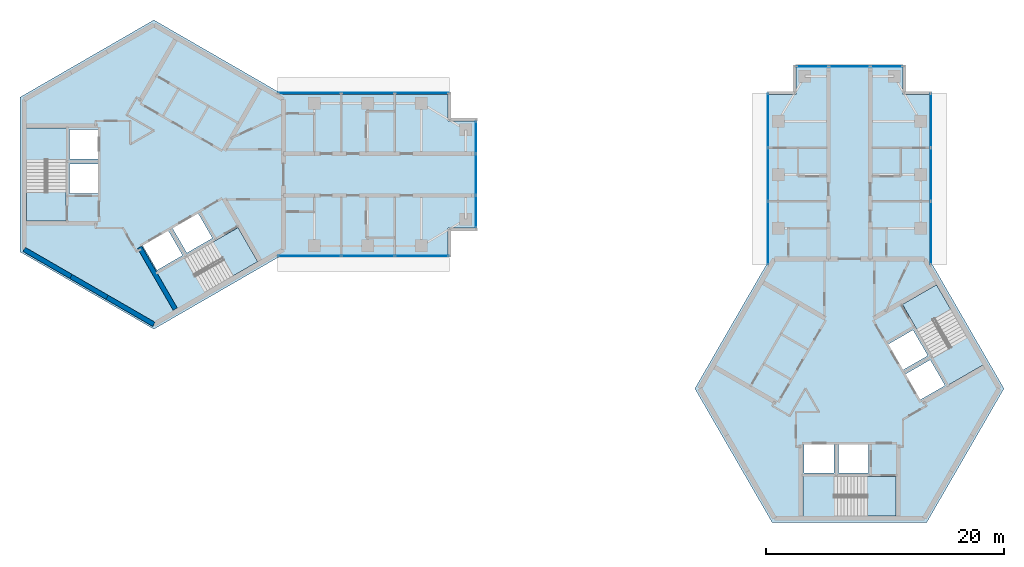
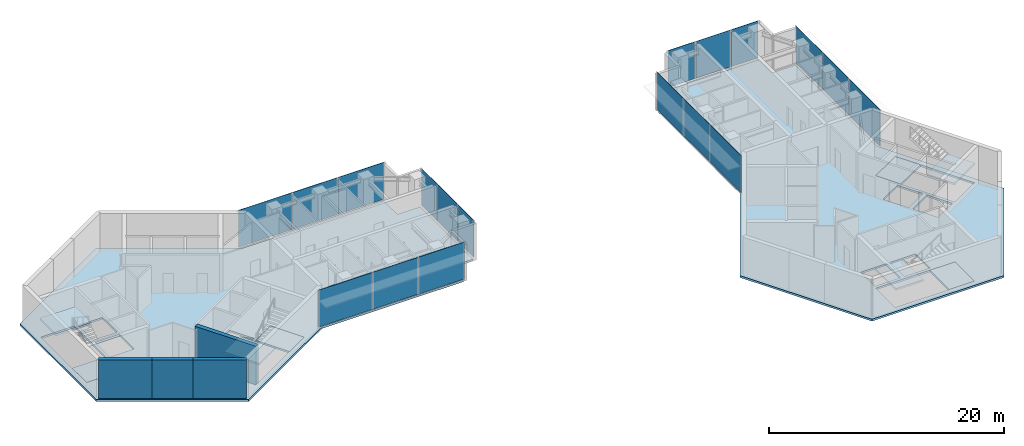
# One storey, part 4 of 11: 18 plates, 10 slabs, 4 walls, 10 elements without a shape of their own.
"""IFC4 building model written with IfcOpenShell, lengths in metres."""

from ifc_helpers import new_model, si_unit, direction, frame, frame_2d, origin, origin_2d, place, context, subcontext, project, spatial, polyline, rectangle, outline, extrude, material, layer, layer_set, type_object, element, aggregate, save


model = new_model("IFC4")

# Units and contexts
model_context = context("Model", 3, precision=1e-05, world=origin(), true_north=direction((0.0, 1.0)))
body_context = subcontext(model_context, "Body", "Model", "MODEL_VIEW")
ifc_project = project(units=[si_unit("LENGTHUNIT", "METRE"), si_unit("AREAUNIT", "SQUARE_METRE"), si_unit("VOLUMEUNIT", "CUBIC_METRE"), si_unit("PLANEANGLEUNIT", "RADIAN"), si_unit("MASSUNIT", "GRAM", prefix="KILO")], contexts=[model_context])

# Site, building, storey
site_placement = place(None, origin())
site = spatial("IfcSite", under=ifc_project, at=site_placement, CompositionType="ELEMENT")
building_placement = place(site_placement, origin())
building = spatial("IfcBuilding", under=site, at=building_placement, Name="Upepo Twin Towers", CompositionType="ELEMENT")
storey_placement = place(building_placement, frame((0.0, 0.0, 259.5)))
storey = spatial("IfcBuildingStorey", under=building, at=storey_placement, Name="L63", CompositionType="ELEMENT", Elevation=259.5)

# Curtain wall, plates
ifc_material_1 = material(Name="Aluminium and fritted glass", Category="aluminium")
curtain_wall_type = type_object("IfcCurtainWallType", Name="Tower curtain wall TW4, fritted glass", PredefinedType="NOTDEFINED", material=ifc_material_1)
curtain_wall_1_placement = place(storey_placement, origin())
curtain_wall_1 = element("IfcCurtainWall", 1, at=curtain_wall_1_placement, inside=storey, type_object=curtain_wall_type, Name="T1 L63 wing A flank L curtain wall", PredefinedType="NOTDEFINED")
ifc_material_2 = material(Name="Ceramic-fritted laminated glass", Category="glass")
ifc_layer_1 = layer(ifc_material_2, 0.031982421875)
ifc_layer_set_1 = layer_set([ifc_layer_1], Name="Fritted glass panel, 65 per cent dot frit, 32 mm double glazed")
plate_type_1 = type_object("IfcPlateType", Name="Fritted glass panel, 65 per cent dot frit, 32 mm double glazed", PredefinedType="CURTAIN_PANEL", material=ifc_layer_set_1)
plate_1_placement = place(storey_placement, frame((13.084716796875, 6.85009765625, 0.14990234375), z_axis=(0.0, 0.0, 1.0), x_axis=(1.0, 0.0, 0.0)))
plate_1 = element("IfcPlate", 2, at=plate_1_placement, type_object=plate_type_1, Name="T1 L63 wing A flank L curtain wall panel 1", PredefinedType="CURTAIN_PANEL", context=body_context, shape_type="SweptSolid", body=[
    extrude(rectangle(XDim=5.265380859375, YDim=0.031982421875, at=origin_2d()), origin(), (0.0, 0.0, 1.0), 3.85009765625),
])
plate_2_placement = place(storey_placement, frame((18.0, 6.85009765625, 0.14990234375), z_axis=(0.0, 0.0, 1.0), x_axis=(1.0, 0.0, 0.0)))
plate_2 = element("IfcPlate", 3, at=plate_2_placement, type_object=plate_type_1, Name="T1 L63 wing A flank L curtain wall panel 2", PredefinedType="CURTAIN_PANEL", context=body_context, shape_type="SweptSolid", body=[
    extrude(rectangle(XDim=4.43505859375, YDim=0.031982421875, at=origin_2d()), origin(), (0.0, 0.0, 1.0), 3.85009765625),
])
plate_3_placement = place(storey_placement, frame((22.53369140625, 6.85009765625, 0.14990234375), z_axis=(0.0, 0.0, 1.0), x_axis=(1.0, 0.0, 0.0)))
plate_3 = element("IfcPlate", 4, at=plate_3_placement, type_object=plate_type_1, Name="T1 L63 wing A flank L curtain wall panel 3", PredefinedType="CURTAIN_PANEL", context=body_context, shape_type="SweptSolid", body=[
    extrude(rectangle(XDim=4.50244140625, YDim=0.031982421875, at=origin_2d()), origin(), (0.0, 0.0, 1.0), 3.85009765625),
])
aggregate(curtain_wall_1, [plate_1, plate_2, plate_3])

curtain_wall_2_placement = place(storey_placement, origin())
curtain_wall_2 = element("IfcCurtainWall", 5, at=curtain_wall_2_placement, inside=storey, type_object=curtain_wall_type, Name="T1 L63 wing A flank R curtain wall", PredefinedType="NOTDEFINED")
plate_4_placement = place(storey_placement, frame((22.53369140625, -6.85009765625, 0.14990234375), z_axis=(0.0, 0.0, 1.0), x_axis=(-1.0, 0.0, 0.0)))
plate_4 = element("IfcPlate", 6, at=plate_4_placement, type_object=plate_type_1, Name="T1 L63 wing A flank R curtain wall panel 1", PredefinedType="CURTAIN_PANEL", context=body_context, shape_type="SweptSolid", body=[
    extrude(rectangle(XDim=4.50244140625, YDim=0.031982421875, at=origin_2d()), origin(), (0.0, 0.0, 1.0), 3.85009765625),
])
plate_5_placement = place(storey_placement, frame((18.0, -6.85009765625, 0.14990234375), z_axis=(0.0, 0.0, 1.0), x_axis=(-1.0, 0.0, 0.0)))
plate_5 = element("IfcPlate", 7, at=plate_5_placement, type_object=plate_type_1, Name="T1 L63 wing A flank R curtain wall panel 2", PredefinedType="CURTAIN_PANEL", context=body_context, shape_type="SweptSolid", body=[
    extrude(rectangle(XDim=4.43505859375, YDim=0.031982421875, at=origin_2d()), origin(), (0.0, 0.0, 1.0), 3.85009765625),
])
plate_6_placement = place(storey_placement, frame((13.084716796875, -6.85009765625, 0.14990234375), z_axis=(0.0, 0.0, 1.0), x_axis=(-1.0, 0.0, 0.0)))
plate_6 = element("IfcPlate", 8, at=plate_6_placement, type_object=plate_type_1, Name="T1 L63 wing A flank R curtain wall panel 3", PredefinedType="CURTAIN_PANEL", context=body_context, shape_type="SweptSolid", body=[
    extrude(rectangle(XDim=5.265380859375, YDim=0.031982421875, at=origin_2d()), origin(), (0.0, 0.0, 1.0), 3.85009765625),
])
aggregate(curtain_wall_2, [plate_4, plate_5, plate_6])

# Curtain wall, plate
curtain_wall_3_placement = place(storey_placement, origin())
curtain_wall_3 = element("IfcCurtainWall", 9, at=curtain_wall_3_placement, inside=storey, type_object=curtain_wall_type, Name="T1 L63 wing A nose curtain wall", PredefinedType="NOTDEFINED")
plate_7_placement = place(storey_placement, frame((27.10009765625, 0.0, 0.14990234375), z_axis=(0.0, 0.0, 1.0), x_axis=(0.0, 1.0, 0.0)))
plate_7 = element("IfcPlate", 10, at=plate_7_placement, type_object=plate_type_1, Name="T1 L63 wing A nose curtain wall panel 2", PredefinedType="CURTAIN_PANEL", context=body_context, shape_type="SweptSolid", body=[
    extrude(rectangle(XDim=3.43505859375, YDim=0.031982421875, at=origin_2d()), origin(), (0.0, 0.0, 1.0), 3.85009765625),
])

# Curtain wall, plates
curtain_wall_4_placement = place(storey_placement, origin())
curtain_wall_4 = element("IfcCurtainWall", 11, at=curtain_wall_4_placement, inside=storey, type_object=curtain_wall_type, Name="T2 L63 wing A flank L curtain wall", PredefinedType="NOTDEFINED")
plate_8_placement = place(storey_placement, frame((51.64990234375, -4.915283203125, 0.14990234375), z_axis=(0.0, 0.0, 1.0), x_axis=(0.0, 1.0, 0.0)))
plate_8 = element("IfcPlate", 12, at=plate_8_placement, type_object=plate_type_1, Name="T2 L63 wing A flank L curtain wall panel 1", PredefinedType="CURTAIN_PANEL", context=body_context, shape_type="SweptSolid", body=[
    extrude(rectangle(XDim=5.265380859375, YDim=0.031982421875, at=origin_2d()), origin(), (0.0, 0.0, 1.0), 3.85009765625),
])
plate_9_placement = place(storey_placement, frame((51.64990234375, 0.0, 0.14990234375), z_axis=(0.0, 0.0, 1.0), x_axis=(0.0, 1.0, 0.0)))
plate_9 = element("IfcPlate", 13, at=plate_9_placement, type_object=plate_type_1, Name="T2 L63 wing A flank L curtain wall panel 2", PredefinedType="CURTAIN_PANEL", context=body_context, shape_type="SweptSolid", body=[
    extrude(rectangle(XDim=4.43505859375, YDim=0.031982421875, at=origin_2d()), origin(), (0.0, 0.0, 1.0), 3.85009765625),
])
plate_10_placement = place(storey_placement, frame((51.64990234375, 4.53369140625, 0.14990234375), z_axis=(0.0, 0.0, 1.0), x_axis=(0.0, 1.0, 0.0)))
plate_10 = element("IfcPlate", 14, at=plate_10_placement, type_object=plate_type_1, Name="T2 L63 wing A flank L curtain wall panel 3", PredefinedType="CURTAIN_PANEL", context=body_context, shape_type="SweptSolid", body=[
    extrude(rectangle(XDim=4.50244140625, YDim=0.031982421875, at=origin_2d()), origin(), (0.0, 0.0, 1.0), 3.85009765625),
])
aggregate(curtain_wall_4, [plate_8, plate_9, plate_10])

curtain_wall_5_placement = place(storey_placement, origin())
curtain_wall_5 = element("IfcCurtainWall", 15, at=curtain_wall_5_placement, inside=storey, type_object=curtain_wall_type, Name="T2 L63 wing A flank R curtain wall", PredefinedType="NOTDEFINED")
plate_11_placement = place(storey_placement, frame((65.35009765625, 4.53369140625, 0.14990234375), z_axis=(0.0, 0.0, 1.0), x_axis=(0.0, -1.0, 0.0)))
plate_11 = element("IfcPlate", 16, at=plate_11_placement, type_object=plate_type_1, Name="T2 L63 wing A flank R curtain wall panel 1", PredefinedType="CURTAIN_PANEL", context=body_context, shape_type="SweptSolid", body=[
    extrude(rectangle(XDim=4.50244140625, YDim=0.031982421875, at=origin_2d()), origin(), (0.0, 0.0, 1.0), 3.85009765625),
])
plate_12_placement = place(storey_placement, frame((65.35009765625, 0.0, 0.14990234375), z_axis=(0.0, 0.0, 1.0), x_axis=(0.0, -1.0, 0.0)))
plate_12 = element("IfcPlate", 17, at=plate_12_placement, type_object=plate_type_1, Name="T2 L63 wing A flank R curtain wall panel 2", PredefinedType="CURTAIN_PANEL", context=body_context, shape_type="SweptSolid", body=[
    extrude(rectangle(XDim=4.43505859375, YDim=0.031982421875, at=origin_2d()), origin(), (0.0, 0.0, 1.0), 3.85009765625),
])
plate_13_placement = place(storey_placement, frame((65.35009765625, -4.915283203125, 0.14990234375), z_axis=(0.0, 0.0, 1.0), x_axis=(0.0, -1.0, 0.0)))
plate_13 = element("IfcPlate", 18, at=plate_13_placement, type_object=plate_type_1, Name="T2 L63 wing A flank R curtain wall panel 3", PredefinedType="CURTAIN_PANEL", context=body_context, shape_type="SweptSolid", body=[
    extrude(rectangle(XDim=5.265380859375, YDim=0.031982421875, at=origin_2d()), origin(), (0.0, 0.0, 1.0), 3.85009765625),
])
aggregate(curtain_wall_5, [plate_11, plate_12, plate_13])

# Curtain wall, plate
curtain_wall_6_placement = place(storey_placement, origin())
curtain_wall_6 = element("IfcCurtainWall", 19, at=curtain_wall_6_placement, inside=storey, type_object=curtain_wall_type, Name="T2 L63 wing A nose curtain wall", PredefinedType="NOTDEFINED")
plate_14_placement = place(storey_placement, frame((58.5, 9.10009765625, 0.14990234375), z_axis=(0.0, 0.0, 1.0), x_axis=(-1.0, 0.0, 0.0)))
plate_14 = element("IfcPlate", 20, at=plate_14_placement, type_object=plate_type_1, Name="T2 L63 wing A nose curtain wall panel 2", PredefinedType="CURTAIN_PANEL", context=body_context, shape_type="SweptSolid", body=[
    extrude(rectangle(XDim=3.43505859375, YDim=0.031982421875, at=origin_2d()), origin(), (0.0, 0.0, 1.0), 3.85009765625),
])

# Plate
ifc_material_3 = material(Name="Clear laminated glass in opening sash", Category="glass")
ifc_layer_2 = layer(ifc_material_3, 0.031982421875)
ifc_layer_set_2 = layer_set([ifc_layer_2], Name="Operable glass panel, 32 mm double glazed")
plate_type_2 = type_object("IfcPlateType", Name="Operable glass panel, 32 mm double glazed", PredefinedType="CURTAIN_PANEL", material=ifc_layer_set_2)
plate_15_placement = place(storey_placement, frame((27.10009765625, -3.108642578125, 0.14990234375), z_axis=(0.0, 0.0, 1.0), x_axis=(0.0, 1.0, 0.0)))
plate_15 = element("IfcPlate", 21, at=plate_15_placement, type_object=plate_type_2, Name="T1 L63 wing A nose curtain wall panel 1", PredefinedType="CURTAIN_PANEL", context=body_context, shape_type="SweptSolid", body=[
    extrude(rectangle(XDim=2.652587890625, YDim=0.031982421875, at=origin_2d()), origin(), (0.0, 0.0, 1.0), 3.85009765625),
])

plate_16_placement = place(storey_placement, frame((27.10009765625, 3.108642578125, 0.14990234375), z_axis=(0.0, 0.0, 1.0), x_axis=(0.0, 1.0, 0.0)))
plate_16 = element("IfcPlate", 22, at=plate_16_placement, type_object=plate_type_2, Name="T1 L63 wing A nose curtain wall panel 3", PredefinedType="CURTAIN_PANEL", context=body_context, shape_type="SweptSolid", body=[
    extrude(rectangle(XDim=2.652587890625, YDim=0.031982421875, at=origin_2d()), origin(), (0.0, 0.0, 1.0), 3.85009765625),
])

aggregate(curtain_wall_3, [plate_15, plate_7, plate_16])

plate_17_placement = place(storey_placement, frame((61.608642578125, 9.10009765625, 0.14990234375), z_axis=(0.0, 0.0, 1.0), x_axis=(-1.0, 0.0, 0.0)))
plate_17 = element("IfcPlate", 23, at=plate_17_placement, type_object=plate_type_2, Name="T2 L63 wing A nose curtain wall panel 1", PredefinedType="CURTAIN_PANEL", context=body_context, shape_type="SweptSolid", body=[
    extrude(rectangle(XDim=2.652587890625, YDim=0.031982421875, at=origin_2d()), origin(), (0.0, 0.0, 1.0), 3.85009765625),
])

plate_18_placement = place(storey_placement, frame((55.391357421875, 9.10009765625, 0.14990234375), z_axis=(0.0, 0.0, 1.0), x_axis=(-1.0, 0.0, 0.0)))
plate_18 = element("IfcPlate", 24, at=plate_18_placement, type_object=plate_type_2, Name="T2 L63 wing A nose curtain wall panel 3", PredefinedType="CURTAIN_PANEL", context=body_context, shape_type="SweptSolid", body=[
    extrude(rectangle(XDim=2.652587890625, YDim=0.031982421875, at=origin_2d()), origin(), (0.0, 0.0, 1.0), 3.85009765625),
])

aggregate(curtain_wall_6, [plate_17, plate_14, plate_18])

# Stair, slabs
ifc_material_4 = material(Name="Concrete C40/50", Category="concrete")
stair_type = type_object("IfcStairType", Name="Core stair, two flights", PredefinedType="HALF_TURN_STAIR", material=ifc_material_4)
stair_1_placement = place(storey_placement, origin())
stair_1 = element("IfcStair", 25, at=stair_1_placement, inside=storey, type_object=stair_type, Name="T1 stair S1 L63", PredefinedType="HALF_TURN_STAIR")
ifc_material_5 = material(Name="Concrete C40/50", Category="concrete")
ifc_layer_3 = layer(ifc_material_5, 0.199951171875)
ifc_layer_set_3 = layer_set([ifc_layer_3], Name="Concrete C40/50")
slab_type_1 = type_object("IfcSlabType", Name="Stair landing 200 RC", PredefinedType="LANDING", material=ifc_layer_set_3)
slab_1_placement = place(storey_placement, frame((0.0, 0.0, -0.199951171875)))
slab_1 = element("IfcSlab", 26, at=slab_1_placement, type_object=slab_type_1, Name="Stair S1 landing 1", PredefinedType="LANDING", context=body_context, shape_type="SweptSolid", body=[
    extrude(outline(polyline([(-7.39990234375, -1.419921875), (-10.708251953125, -1.419921875), (-10.708251953125, -3.89990234375), (-7.39990234375, -3.89990234375), (-7.39990234375, -1.419921875)])), origin(), (0.0, 0.0, 1.0), 0.199951171875),
])
slab_2_placement = place(storey_placement, frame((0.0, 0.0, 1.800048828125)))
slab_2 = element("IfcSlab", 27, at=slab_2_placement, type_object=slab_type_1, Name="Stair S1 landing 2", PredefinedType="LANDING", context=body_context, shape_type="SweptSolid", body=[
    extrude(outline(polyline([(-7.300048828125, 3.89990234375), (-10.808349609375, 3.89990234375), (-10.808349609375, 1.179931640625), (-7.300048828125, 1.179931640625), (-7.300048828125, 3.89990234375)])), origin(), (0.0, 0.0, 1.0), 0.199951171875),
])
aggregate(stair_1, [slab_1, slab_2])

stair_2_placement = place(storey_placement, origin())
stair_2 = element("IfcStair", 28, at=stair_2_placement, inside=storey, type_object=stair_type, Name="T1 stair S2 L63", PredefinedType="HALF_TURN_STAIR")
slab_3_placement = place(storey_placement, frame((0.0, 0.0, -0.199951171875)))
slab_3 = element("IfcSlab", 29, at=slab_3_placement, type_object=slab_type_1, Name="Stair S2 landing 1", PredefinedType="LANDING", context=body_context, shape_type="SweptSolid", body=[
    extrude(outline(polyline([(4.9296875, -5.698486328125), (6.583984375, -8.563720703125), (8.731689453125, -7.32373046875), (7.077392578125, -4.45849609375), (4.9296875, -5.698486328125)])), origin(), (0.0, 0.0, 1.0), 0.199951171875),
])
slab_4_placement = place(storey_placement, frame((0.0, 0.0, 1.800048828125)))
slab_4 = element("IfcSlab", 30, at=slab_4_placement, type_object=slab_type_1, Name="Stair S2 landing 2", PredefinedType="LANDING", context=body_context, shape_type="SweptSolid", body=[
    extrude(outline(polyline([(0.2724609375, -8.27197265625), (2.026611328125, -11.310302734375), (4.38232421875, -9.9501953125), (2.628173828125, -6.911865234375), (0.2724609375, -8.27197265625)])), origin(), (0.0, 0.0, 1.0), 0.199951171875),
])
aggregate(stair_2, [slab_3, slab_4])

stair_3_placement = place(storey_placement, origin())
stair_3 = element("IfcStair", 31, at=stair_3_placement, inside=storey, type_object=stair_type, Name="T2 stair S1 L63", PredefinedType="HALF_TURN_STAIR")
slab_5_placement = place(storey_placement, frame((0.0, 0.0, -0.199951171875)))
slab_5 = element("IfcSlab", 32, at=slab_5_placement, type_object=slab_type_1, Name="Stair S1 landing 1", PredefinedType="LANDING", context=body_context, shape_type="SweptSolid", body=[
    extrude(outline(polyline([(59.919921875, -25.39990234375), (59.919921875, -28.708251953125), (62.39990234375, -28.708251953125), (62.39990234375, -25.39990234375), (59.919921875, -25.39990234375)])), origin(), (0.0, 0.0, 1.0), 0.199951171875),
])
slab_6_placement = place(storey_placement, frame((0.0, 0.0, 1.800048828125)))
slab_6 = element("IfcSlab", 33, at=slab_6_placement, type_object=slab_type_1, Name="Stair S1 landing 2", PredefinedType="LANDING", context=body_context, shape_type="SweptSolid", body=[
    extrude(outline(polyline([(54.60009765625, -25.300048828125), (54.60009765625, -28.808349609375), (57.320068359375, -28.808349609375), (57.320068359375, -25.300048828125), (54.60009765625, -25.300048828125)])), origin(), (0.0, 0.0, 1.0), 0.199951171875),
])
aggregate(stair_3, [slab_5, slab_6])

stair_4_placement = place(storey_placement, origin())
stair_4 = element("IfcStair", 34, at=stair_4_placement, inside=storey, type_object=stair_type, Name="T2 stair S2 L63", PredefinedType="HALF_TURN_STAIR")
slab_7_placement = place(storey_placement, frame((0.0, 0.0, -0.199951171875)))
slab_7 = element("IfcSlab", 35, at=slab_7_placement, type_object=slab_type_1, Name="Stair S2 landing 1", PredefinedType="LANDING", context=body_context, shape_type="SweptSolid", body=[
    extrude(outline(polyline([(64.198486328125, -13.0703125), (67.063720703125, -11.416015625), (65.82373046875, -9.268310546875), (62.95849609375, -10.922607421875), (64.198486328125, -13.0703125)])), origin(), (0.0, 0.0, 1.0), 0.199951171875),
])
slab_8_placement = place(storey_placement, frame((0.0, 0.0, 1.800048828125)))
slab_8 = element("IfcSlab", 36, at=slab_8_placement, type_object=slab_type_1, Name="Stair S2 landing 2", PredefinedType="LANDING", context=body_context, shape_type="SweptSolid", body=[
    extrude(outline(polyline([(66.77197265625, -17.7275390625), (69.810302734375, -15.973388671875), (68.4501953125, -13.61767578125), (65.411865234375, -15.371826171875), (66.77197265625, -17.7275390625)])), origin(), (0.0, 0.0, 1.0), 0.199951171875),
])
aggregate(stair_4, [slab_7, slab_8])

# Slabs
ifc_material_6 = material(Name="Concrete C40/50", Category="concrete")
ifc_layer_4 = layer(ifc_material_6, 0.199951171875)
ifc_layer_set_4 = layer_set([ifc_layer_4], Name="Concrete C40/50")
slab_type_2 = type_object("IfcSlabType", Name="Tower floor slab 200 RC", PredefinedType="FLOOR", material=ifc_layer_set_4)
slab_9_placement = place(storey_placement, frame((0.0, 0.0, -0.199951171875)))
element("IfcSlab", 37, at=slab_9_placement, inside=storey, type_object=slab_type_2, Name="T1 L63 floor slab", PredefinedType="FLOOR", context=body_context, shape_type="SweptSolid", body=[
    extrude(outline(polyline([(0.0, -13.0), (-11.25830078125, -6.5), (-11.25830078125, 6.5), (0.0, 13.0), (10.825439453125, 6.75), (24.75, 6.75), (24.75, 4.5), (27.0, 4.5), (27.0, -4.5), (24.75, -4.5), (24.75, -6.75), (10.825439453125, -6.75), (0.0, -13.0)]), holes=[polyline([(-4.699951171875, 3.800048828125), (-7.10009765625, 3.800048828125), (-7.10009765625, 1.300048828125), (-4.699951171875, 1.300048828125), (-4.699951171875, 3.800048828125)]), polyline([(-4.699951171875, 0.89990234375), (-7.10009765625, 0.89990234375), (-7.10009765625, -1.60009765625), (-4.699951171875, -1.60009765625), (-4.699951171875, 0.89990234375)]), polyline([(-7.39990234375, 3.89990234375), (-10.708251953125, 3.89990234375), (-10.708251953125, -3.89990234375), (-7.39990234375, -3.89990234375), (-7.39990234375, 3.89990234375)]), polyline([(-0.94091796875, -5.97021484375), (0.259033203125, -8.048828125), (2.424072265625, -6.798828125), (1.22412109375, -4.72021484375), (-0.94091796875, -5.97021484375)]), polyline([(1.570556640625, -4.520263671875), (2.7705078125, -6.598876953125), (4.935546875, -5.348876953125), (3.735595703125, -3.270263671875), (1.570556640625, -4.520263671875)]), polyline([(0.322509765625, -8.358642578125), (1.9765625, -11.2236328125), (8.731689453125, -7.32373046875), (7.077392578125, -4.45849609375), (0.322509765625, -8.358642578125)])]), origin(), (0.0, 0.0, 1.0), 0.199951171875),
])
slab_10_placement = place(storey_placement, frame((0.0, 0.0, -0.199951171875)))
element("IfcSlab", 38, at=slab_10_placement, inside=storey, type_object=slab_type_2, Name="T2 L63 floor slab", PredefinedType="FLOOR", context=body_context, shape_type="SweptSolid", body=[
    extrude(outline(polyline([(71.5, -18.0), (65.0, -29.25830078125), (52.0, -29.25830078125), (45.5, -18.0), (51.75, -7.174560546875), (51.75, 6.75), (54.0, 6.75), (54.0, 9.0), (63.0, 9.0), (63.0, 6.75), (65.25, 6.75), (65.25, -7.174560546875), (71.5, -18.0)]), holes=[polyline([(54.699951171875, -22.699951171875), (54.699951171875, -25.10009765625), (57.199951171875, -25.10009765625), (57.199951171875, -22.699951171875), (54.699951171875, -22.699951171875)]), polyline([(57.60009765625, -22.699951171875), (57.60009765625, -25.10009765625), (60.10009765625, -25.10009765625), (60.10009765625, -22.699951171875), (57.60009765625, -22.699951171875)]), polyline([(54.60009765625, -25.39990234375), (54.60009765625, -28.708251953125), (62.39990234375, -28.708251953125), (62.39990234375, -25.39990234375), (54.60009765625, -25.39990234375)]), polyline([(64.47021484375, -18.94091796875), (66.548828125, -17.740966796875), (65.298828125, -15.575927734375), (63.22021484375, -16.77587890625), (64.47021484375, -18.94091796875)]), polyline([(63.020263671875, -16.429443359375), (65.098876953125, -15.2294921875), (63.848876953125, -13.064453125), (61.770263671875, -14.264404296875), (63.020263671875, -16.429443359375)]), polyline([(66.858642578125, -17.677490234375), (69.7236328125, -16.0234375), (65.82373046875, -9.268310546875), (62.95849609375, -10.922607421875), (66.858642578125, -17.677490234375)])]), origin(), (0.0, 0.0, 1.0), 0.199951171875),
])

# Walls
ifc_material_7 = material(Name="Concrete C60/75", Category="concrete")
ifc_layer_5 = layer(ifc_material_7, 0.39990234375)
ifc_layer_set_5 = layer_set([ifc_layer_5], Name="Concrete C60/75")
wall_type_1 = type_object("IfcWallType", Name="Core wall 400 RC", PredefinedType="SHEAR", material=ifc_layer_set_5)
wall_1_placement = place(storey_placement, frame((-10.908447265625, -6.2978515625, 0.0), z_axis=(0.0, 0.0, 1.0), x_axis=(0.866034513004, -0.499984222037, 0.0)))
element("IfcWall", 39, at=wall_1_placement, inside=storey, type_object=wall_type_1, Name="T1 core wall 240 R", PredefinedType="SHEAR", context=body_context, shape_type="SweptSolid", body=[
    extrude(rectangle(XDim=4.548095703125, YDim=0.39990234375, at=frame_2d((2.27392578125, 0.0))), origin(), (0.0, 0.0, 1.0), 4.0),
])
wall_2_placement = place(storey_placement, frame((-6.9697265625, -8.57177734375, 0.0), z_axis=(0.0, 0.0, 1.0), x_axis=(0.866019471182, -0.500010275428, 0.0)))
element("IfcWall", 40, at=wall_2_placement, inside=storey, type_object=wall_type_1, Name="T1 core wall 240", PredefinedType="SHEAR", context=body_context, shape_type="SweptSolid", body=[
    extrude(rectangle(XDim=3.5, YDim=0.39990234375, at=frame_2d((1.75, 0.0))), origin(), (0.0, 0.0, 1.0), 4.0),
])
wall_3_placement = place(storey_placement, frame((-3.938720703125, -10.32177734375, 0.0), z_axis=(0.0, 0.0, 1.0), x_axis=(0.866011268655, -0.500024481964, 0.0)))
element("IfcWall", 41, at=wall_3_placement, inside=storey, type_object=wall_type_1, Name="T1 core wall 240 L", PredefinedType="SHEAR", context=body_context, shape_type="SweptSolid", body=[
    extrude(rectangle(XDim=4.548095703125, YDim=0.39990234375, at=frame_2d((2.27392578125, 0.0))), origin(), (0.0, 0.0, 1.0), 4.0),
])
ifc_material_8 = material(Name="Concrete C40/50", Category="concrete")
ifc_layer_6 = layer(ifc_material_8, 0.39990234375)
ifc_layer_set_6 = layer_set([ifc_layer_6], Name="Concrete C40/50")
wall_type_2 = type_object("IfcWallType", Name="Shaft wall 400 RC", PredefinedType="SHEAR", material=ifc_layer_set_6)
wall_4_placement = place(storey_placement, frame((-1.20068359375, -6.120361328125, 0.0), z_axis=(0.0, 0.0, 1.0), x_axis=(0.499997979876, -0.866026570101, 0.0)))
element("IfcWall", 42, at=wall_4_placement, inside=storey, type_object=wall_type_2, Name="T1 core W300 side wall S", PredefinedType="SHEAR", context=body_context, shape_type="SweptSolid", body=[
    extrude(rectangle(XDim=6.00830078125, YDim=0.39990234375, at=frame_2d((3.004150390625, 0.0))), origin(), (0.0, 0.0, 1.0), 4.0),
])

save(model, "model.ifc")
